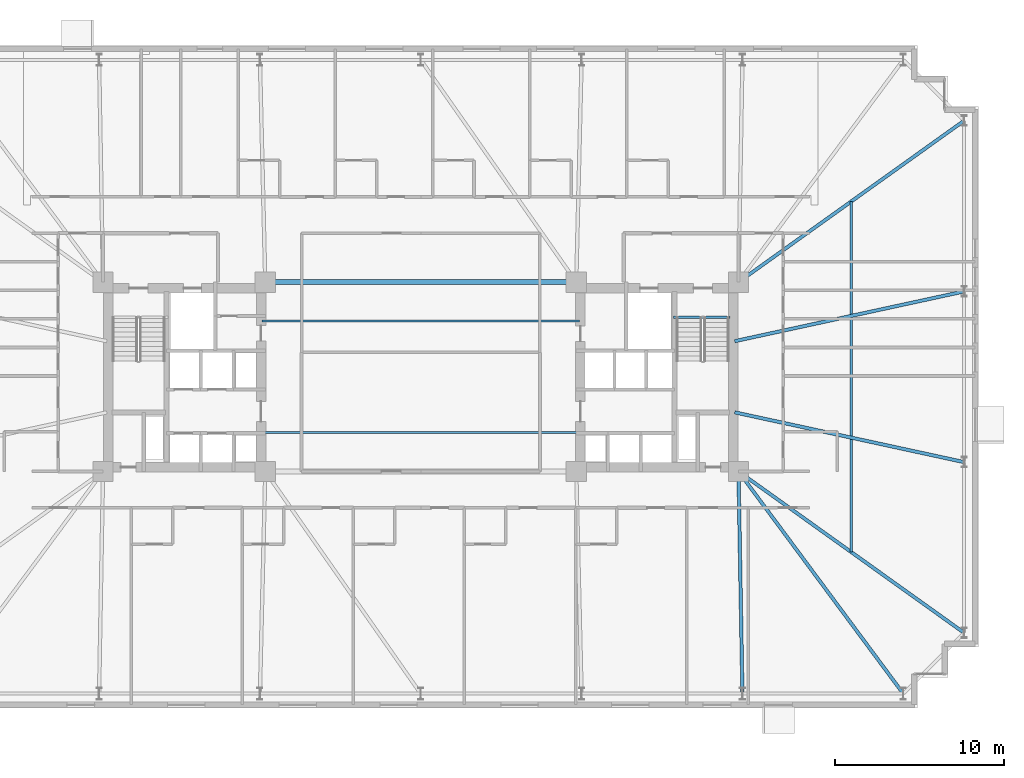
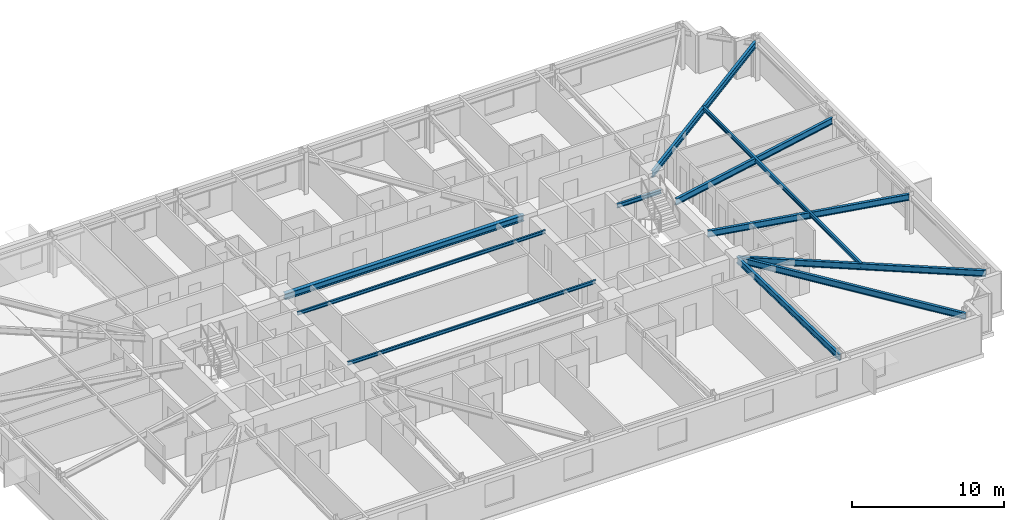
# One storey, part 7 of 22: 11 beams.
"""IFC4 building model written with IfcOpenShell, lengths in metres."""

from ifc_helpers import new_model, si_unit, direction, frame, origin, origin_2d, place, context, subcontext, project, spatial, i_section, extrude, material, material_profile, profile_set, type_object, element, save


model = new_model("IFC4")

# Units and contexts
model_context = context("Model", 3, precision=1e-05, world=origin(), true_north=direction((0.0, 1.0)))
body_context = subcontext(model_context, "Body", "Model", "MODEL_VIEW")
ifc_project = project(units=[si_unit("LENGTHUNIT", "METRE"), si_unit("AREAUNIT", "SQUARE_METRE"), si_unit("VOLUMEUNIT", "CUBIC_METRE"), si_unit("PLANEANGLEUNIT", "RADIAN"), si_unit("MASSUNIT", "GRAM", prefix="KILO")], contexts=[model_context])

# Site, building, storey
site_placement = place(None, origin())
site = spatial("IfcSite", under=ifc_project, at=site_placement, CompositionType="ELEMENT")
building_placement = place(site_placement, origin())
building = spatial("IfcBuilding", under=site, at=building_placement, Name="Qobustan Lattice House", CompositionType="ELEMENT")
storey_placement = place(building_placement, frame((0.0, 0.0, 60.5)))
storey = spatial("IfcBuildingStorey", under=building, at=storey_placement, Name="L16", CompositionType="ELEMENT", Elevation=60.5)

# Beams
ifc_material_1 = material(Name="Steel S355", Category="steel")
ifc_material_profile_1 = material_profile(ifc_material_1, i_section(OverallWidth=0.300048828125, OverallDepth=0.5, WebThickness=0.014404296875, FlangeThickness=0.028076171875, FilletRadius=0.027099609375, at=origin_2d()), Name="HEB500")
ifc_profile_set_1 = profile_set([ifc_material_profile_1], Name="Steel S355")
beam_type_1 = type_object("IfcBeamType", Name="BM-CG-HEB500", PredefinedType="USERDEFINED", material=ifc_profile_set_1)
beam_1_placement = place(storey_placement, frame((-9.050048828125, 5.60009765625, 2.784912109375), z_axis=(1.0, 0.0, 0.0), x_axis=(0.0, 1.0, 0.0)))
element("IfcBeam", 1, at=beam_1_placement, inside=storey, type_object=beam_type_1, Name="L16 core spine girder CG-CN", ObjectType="GIRDER", PredefinedType="USERDEFINED", context=body_context, shape_type="SweptSolid", body=[
    extrude(i_section(OverallWidth=0.300048828125, OverallDepth=0.5, WebThickness=0.014404296875, FlangeThickness=0.028076171875, FilletRadius=0.027099609375, at=origin_2d()), origin(), (0.0, 0.0, 1.0), 18.10009765625),
])
ifc_material_2 = material(Name="Steel S355", Category="steel")
ifc_material_profile_2 = material_profile(ifc_material_2, i_section(OverallWidth=0.199951171875, OverallDepth=0.5, WebThickness=0.01025390625, FlangeThickness=0.01611328125, FilletRadius=0.02099609375, at=origin_2d()), Name="IPE500")
ifc_profile_set_2 = profile_set([ifc_material_profile_2], Name="Steel S355")
beam_type_2 = type_object("IfcBeamType", Name="BM-FLG-IPE500", PredefinedType="USERDEFINED", material=ifc_profile_set_2)
beam_2_placement = place(storey_placement, frame((19.032958984375, -18.72509765625, 2.784912109375), z_axis=(-0.017757831607, 0.999842317276, 0.0), x_axis=(-0.999842317276, -0.017757831607, 0.0)))
element("IfcBeam", 2, at=beam_2_placement, inside=storey, type_object=beam_type_2, Name="L16 primary floor girder RAD-S6", ObjectType="GIRDER", PredefinedType="USERDEFINED", context=body_context, shape_type="SweptSolid", body=[
    extrude(i_section(OverallWidth=0.199951171875, OverallDepth=0.5, WebThickness=0.01025390625, FlangeThickness=0.01611328125, FilletRadius=0.02099609375, at=origin_2d()), origin(), (0.0, 0.0, 1.0), 13.10205078125),
])
beam_3_placement = place(storey_placement, frame((28.53515625, -18.72998046875, 2.784912109375), z_axis=(-0.5955916815, 0.803287338956, 0.0), x_axis=(-0.803287338956, -0.5955916815, 0.0)))
element("IfcBeam", 3, at=beam_3_placement, inside=storey, type_object=beam_type_2, Name="L16 primary floor girder RAD-S7E", ObjectType="GIRDER", PredefinedType="USERDEFINED", context=body_context, shape_type="SweptSolid", body=[
    extrude(i_section(OverallWidth=0.199951171875, OverallDepth=0.5, WebThickness=0.01025390625, FlangeThickness=0.01611328125, FilletRadius=0.02099609375, at=origin_2d()), origin(), (0.0, 0.0, 1.0), 16.3203125),
])
beam_4_placement = place(storey_placement, frame((32.129638671875, 15.135498046875, 2.784912109375), z_axis=(-0.813318954893, -0.581818079481, 0.0), x_axis=(0.581818079481, -0.813318954893, 0.0)))
element("IfcBeam", 4, at=beam_4_placement, inside=storey, type_object=beam_type_2, Name="L16 primary floor girder RAD-E4", ObjectType="GIRDER", PredefinedType="USERDEFINED", context=body_context, shape_type="SweptSolid", body=[
    extrude(i_section(OverallWidth=0.199951171875, OverallDepth=0.5, WebThickness=0.01025390625, FlangeThickness=0.01611328125, FilletRadius=0.02099609375, at=origin_2d()), origin(), (0.0, 0.0, 1.0), 16.3642578125),
])
for number, where, z_axis, x_axis, name in (
    (5, (32.12548828125, 5.044677734375, 2.784912109375), (-0.97727240275, -0.211987383643, 0.0), (0.211987383643, -0.97727240275, 0.0), "L16 primary floor girder RAD-E3"),
    (6, (32.12548828125, -5.044677734375, 2.784912109375), (-0.97727240275, 0.211987383643, 0.0), (-0.211987383643, -0.97727240275, 0.0), "L16 primary floor girder RAD-E2"),
):
    element("IfcBeam", number, at=place(storey_placement, frame(where, z_axis=z_axis, x_axis=x_axis)), inside=storey, type_object=beam_type_2, Name=name, ObjectType="GIRDER", PredefinedType="USERDEFINED", context=body_context, shape_type="SweptSolid", body=[
        extrude(i_section(OverallWidth=0.199951171875, OverallDepth=0.5, WebThickness=0.01025390625, FlangeThickness=0.01611328125, FilletRadius=0.02099609375, at=origin_2d()), origin(), (0.0, 0.0, 1.0), 13.8662109375),
    ])
beam_5_placement = place(storey_placement, frame((32.129638671875, -15.135498046875, 2.784912109375), z_axis=(-0.813318954893, 0.581818079481, 0.0), x_axis=(-0.581818079481, -0.813318954893, 0.0)))
element("IfcBeam", 7, at=beam_5_placement, inside=storey, type_object=beam_type_2, Name="L16 primary floor girder RAD-E1", ObjectType="GIRDER", PredefinedType="USERDEFINED", context=body_context, shape_type="SweptSolid", body=[
    extrude(i_section(OverallWidth=0.199951171875, OverallDepth=0.5, WebThickness=0.01025390625, FlangeThickness=0.01611328125, FilletRadius=0.02099609375, at=origin_2d()), origin(), (0.0, 0.0, 1.0), 16.3642578125),
])
ifc_material_3 = material(Name="Steel S355", Category="steel")
ifc_material_profile_3 = material_profile(ifc_material_3, i_section(OverallWidth=0.135009765625, OverallDepth=0.27001953125, WebThickness=0.006591796875, FlangeThickness=0.01025390625, FilletRadius=0.014892578125, at=origin_2d()), Name="IPE270")
ifc_profile_set_3 = profile_set([ifc_material_profile_3], Name="Steel S355")
beam_type_3 = type_object("IfcBeamType", Name="BM-JST-IPE270", PredefinedType="JOIST", material=ifc_profile_set_3)
for number, where, z_axis, x_axis, name in (
    (8, (-9.39990234375, -3.300048828125, 2.89990234375), (1.0, 0.0, 0.0), (0.0, 1.0, 0.0), "L16 central span floor joist 1"),
    (9, (-9.39990234375, 3.300048828125, 2.89990234375), (1.0, 0.0, 0.0), (0.0, 1.0, 0.0), "L16 central span floor joist 2"),
):
    element("IfcBeam", number, at=place(storey_placement, frame(where, z_axis=z_axis, x_axis=x_axis)), inside=storey, type_object=beam_type_3, Name=name, PredefinedType="JOIST", context=body_context, shape_type="SweptSolid", body=[
        extrude(i_section(OverallWidth=0.135009765625, OverallDepth=0.27001953125, WebThickness=0.006591796875, FlangeThickness=0.01025390625, FilletRadius=0.014892578125, at=origin_2d()), origin(), (0.0, 0.0, 1.0), 18.7998046875),
    ])
ifc_material_4 = material(Name="Steel S355", Category="steel")
ifc_material_profile_4 = material_profile(ifc_material_4, i_section(OverallWidth=0.159912109375, OverallDepth=0.330078125, WebThickness=0.007568359375, FlangeThickness=0.011474609375, FilletRadius=0.01806640625, at=origin_2d()), Name="IPE330")
ifc_profile_set_4 = profile_set([ifc_material_profile_4], Name="Steel S355")
beam_type_4 = type_object("IfcBeamType", Name="BM-SEC-IPE330", PredefinedType="BEAM", material=ifc_profile_set_4)
beam_6_placement = place(storey_placement, frame((25.47509765625, 10.375, 2.8701171875), z_axis=(0.0, -1.0, 0.0), x_axis=(1.0, 0.0, 0.0)))
element("IfcBeam", 10, at=beam_6_placement, inside=storey, type_object=beam_type_4, Name="L16 east wing secondary beam", PredefinedType="BEAM", context=body_context, shape_type="SweptSolid", body=[
    extrude(i_section(OverallWidth=0.159912109375, OverallDepth=0.330078125, WebThickness=0.007568359375, FlangeThickness=0.011474609375, FilletRadius=0.01806640625, at=origin_2d()), origin(), (0.0, 0.0, 1.0), 20.75),
])
ifc_material_5 = material(Name="Steel S355", Category="steel")
ifc_material_profile_5 = material_profile(ifc_material_5, i_section(OverallWidth=0.159912109375, OverallDepth=0.330078125, WebThickness=0.007568359375, FlangeThickness=0.011474609375, FilletRadius=0.01806640625, at=origin_2d()), Name="IPE330")
ifc_profile_set_5 = profile_set([ifc_material_profile_5], Name="Steel S355")
beam_type_5 = type_object("IfcBeamType", Name="BM-SPD-IPE330", PredefinedType="SPANDREL", material=ifc_profile_set_5)
beam_7_placement = place(storey_placement, frame((14.949951171875, 3.52001953125, 2.8701171875), z_axis=(1.0, 0.0, 0.0), x_axis=(0.0, 1.0, 0.0)))
element("IfcBeam", 11, at=beam_7_placement, inside=storey, type_object=beam_type_5, Name="L16 east stair landing trimmer beam", PredefinedType="SPANDREL", context=body_context, shape_type="SweptSolid", body=[
    extrude(i_section(OverallWidth=0.159912109375, OverallDepth=0.330078125, WebThickness=0.007568359375, FlangeThickness=0.011474609375, FilletRadius=0.01806640625, at=origin_2d()), origin(), (0.0, 0.0, 1.0), 3.35009765625),
])

save(model, "model.ifc")
